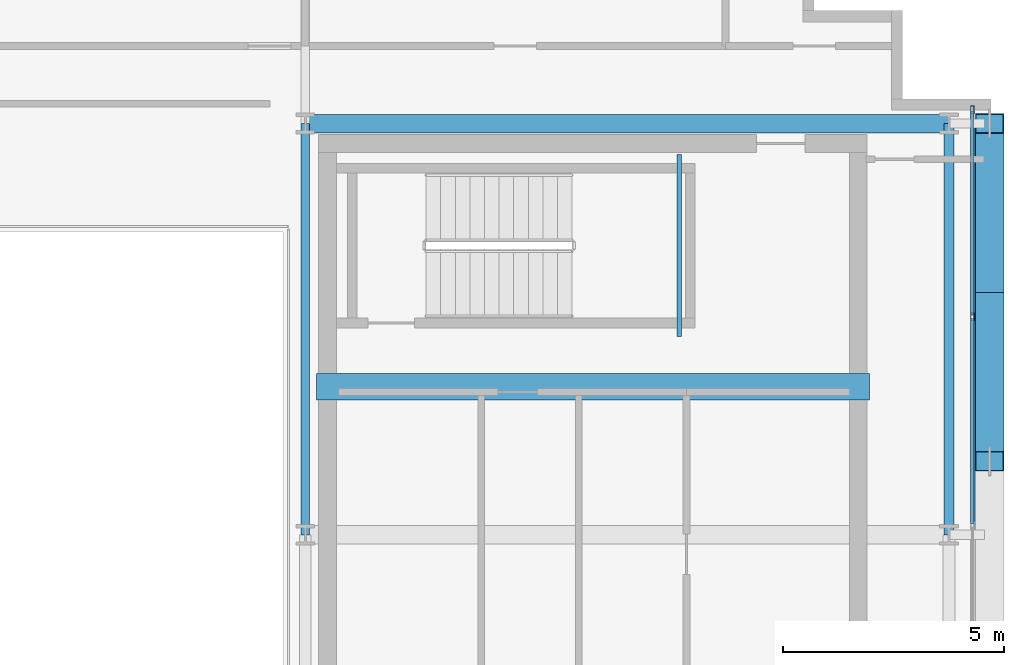
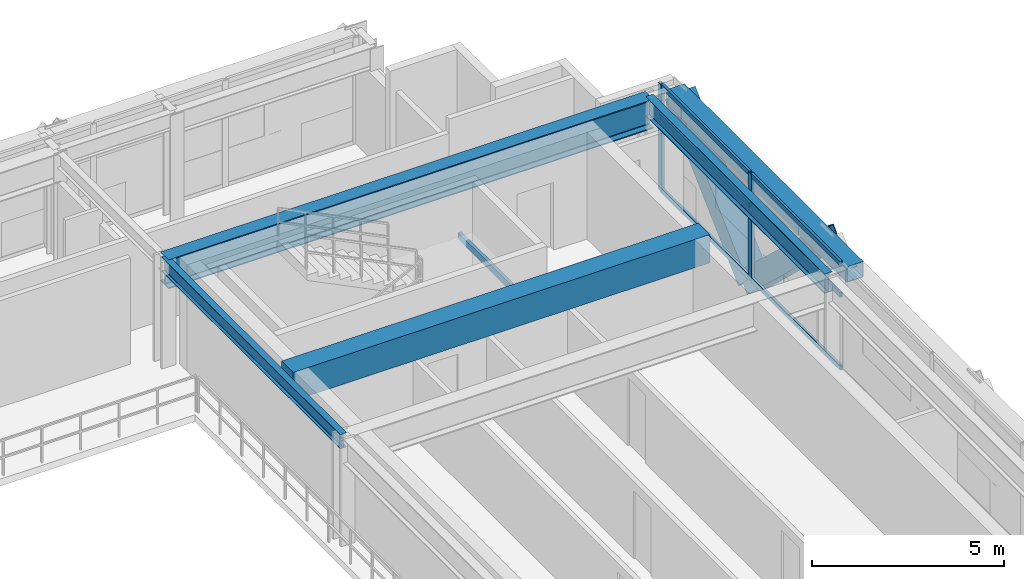
# One storey, part 12 of 27: 10 members, 6 beams, 1 element without a shape of its own.
"""IFC4 building model written with IfcOpenShell, lengths in metres."""

from ifc_helpers import new_model, si_unit, direction, frame, origin, origin_2d, place, context, subcontext, project, spatial, rectangle, hollow_rectangle, i_section, extrude, source, transform, mapped, material, layer, layer_set, material_profile, profile_set, type_object, element, aggregate, save


model = new_model("IFC4")

# Units and contexts
model_context = context("Model", 3, precision=1e-05, world=origin(), true_north=direction((0.0, 1.0)))
body_context = subcontext(model_context, "Body", "Model", "MODEL_VIEW")
ifc_project = project(units=[si_unit("LENGTHUNIT", "METRE"), si_unit("AREAUNIT", "SQUARE_METRE"), si_unit("VOLUMEUNIT", "CUBIC_METRE"), si_unit("PLANEANGLEUNIT", "RADIAN"), si_unit("MASSUNIT", "GRAM", prefix="KILO")], contexts=[model_context])

# Site, building, storey
site_placement = place(None, origin())
site = spatial("IfcSite", under=ifc_project, at=site_placement, CompositionType="ELEMENT")
building_placement = place(site_placement, origin())
building = spatial("IfcBuilding", under=site, at=building_placement, Name="Ocotamira Hotel", CompositionType="ELEMENT")
storey_placement = place(building_placement, frame((0.0, 0.0, 232.800048828125)))
storey = spatial("IfcBuildingStorey", under=building, at=storey_placement, Name="L58", CompositionType="ELEMENT", Elevation=232.800048828125)

# Beams
ifc_material_1 = material(Name="Concrete C50/60", Category="concrete")
ifc_material_profile_1 = material_profile(ifc_material_1, rectangle(XDim=0.60009765625, YDim=0.89990234375, at=origin_2d()), Name="RC600X900")
ifc_profile_set_1 = profile_set([ifc_material_profile_1], Name="Concrete C50/60")
beam_type_1 = type_object("IfcBeamType", Name="BM-LINK-RC600", PredefinedType="LINTEL", material=ifc_profile_set_1)
shared_shape_1 = source(origin(), body_context, "Body", "SweptSolid", [
    extrude(rectangle(XDim=0.60009765625, YDim=0.89990234375, at=origin_2d()), origin(), (0.0, 0.0, 1.0), 12.5),
])
beam_1_placement = place(storey_placement, frame((40.75, 31.5, 2.929931640625), z_axis=(1.0, 0.0, 0.0), x_axis=(0.0, 1.0, 0.0)))
element("IfcBeam", 1, at=beam_1_placement, inside=storey, type_object=beam_type_1, Name="L58 East Core Coupling Beam", PredefinedType="LINTEL", context=body_context, shape_type="MappedRepresentation", body=[
    mapped(shared_shape_1, transform((0.0, 0.0, 0.0), scale=1.0)),
])
ifc_material_2 = material(Name="Steel ASTM A500 Grade C", Category="steel")
ifc_material_profile_2 = material_profile(ifc_material_2, hollow_rectangle(XDim=0.10009765625, YDim=0.199951171875, WallThickness=0.008056640625, at=origin_2d()), Name="HSS200X100X8")
ifc_profile_set_2 = profile_set([ifc_material_profile_2], Name="Steel ASTM A500 Grade C")
beam_type_2 = type_object("IfcBeamType", Name="BM-STLDG-HSS200", PredefinedType="BEAM", material=ifc_profile_set_2)
shared_shape_2 = source(origin(), body_context, "Body", "SweptSolid", [
    extrude(hollow_rectangle(XDim=0.10009765625, YDim=0.199951171875, WallThickness=0.008056640625, at=origin_2d()), origin(), (0.0, 0.0, 1.0), 4.1201171875),
])
beam_2_placement = place(storey_placement, frame((48.949951171875, 32.6298828125, 1.5), z_axis=(0.0, 1.0, 0.0), x_axis=(-1.0, 0.0, 0.0)))
element("IfcBeam", 2, at=beam_2_placement, inside=storey, type_object=beam_type_2, Name="L58 Stair ST-4 Landing Bearer 1", PredefinedType="BEAM", context=body_context, shape_type="MappedRepresentation", body=[
    mapped(shared_shape_2, transform((0.0, 0.0, 0.0), scale=1.0)),
])
ifc_material_3 = material(Name="Steel ASTM A992 Grade 50", Category="steel")
ifc_material_profile_3 = material_profile(ifc_material_3, i_section(OverallWidth=0.41796875, OverallDepth=0.927001953125, WebThickness=0.019287109375, FlangeThickness=0.031982421875, FilletRadius=0.02392578125, at=origin_2d()), Name="W36X231")
ifc_profile_set_3 = profile_set([ifc_material_profile_3], Name="Steel ASTM A992 Grade 50")
beam_type_3 = type_object("IfcBeamType", Name="BM-GIRD-W36X231", PredefinedType="BEAM", material=ifc_profile_set_3)
shared_shape_3 = source(origin(), body_context, "Body", "SweptSolid", [
    extrude(i_section(OverallWidth=0.41796875, OverallDepth=0.927001953125, WebThickness=0.019287109375, FlangeThickness=0.031982421875, FilletRadius=0.02392578125, at=origin_2d()), origin(), (0.0, 0.0, 1.0), 14.550048828125),
])
beam_3_placement = place(storey_placement, frame((40.5, 37.449951171875, 2.91650390625), z_axis=(1.0, 0.0, 0.0), x_axis=(0.0, 1.0, 0.0)))
element("IfcBeam", 3, at=beam_3_placement, inside=storey, type_object=beam_type_3, Name="L58 Girder Y37.45 X40.5-55.05", PredefinedType="BEAM", context=body_context, shape_type="MappedRepresentation", body=[
    mapped(shared_shape_3, transform((0.0, 0.0, 0.0), scale=1.0)),
])
ifc_material_profile_4 = material_profile(ifc_material_3, i_section(OverallWidth=0.22998046875, OverallDepth=0.616943359375, WebThickness=0.01318359375, FlangeThickness=0.022216796875, FilletRadius=0.012939453125, at=origin_2d()), Name="W24X94")
ifc_profile_set_4 = profile_set([ifc_material_profile_4], Name="Steel ASTM A992 Grade 50")
beam_type_4 = type_object("IfcBeamType", Name="BM-PRIM-W24X94", PredefinedType="BEAM", material=ifc_profile_set_4)
shared_shape_4 = source(origin(), body_context, "Body", "SweptSolid", [
    extrude(i_section(OverallWidth=0.22998046875, OverallDepth=0.616943359375, WebThickness=0.01318359375, FlangeThickness=0.022216796875, FilletRadius=0.012939453125, at=origin_2d()), origin(), (0.0, 0.0, 1.0), 9.300048828125),
])
beam_4_placement = place(storey_placement, frame((55.050048828125, 28.14990234375, 3.071533203125), z_axis=(0.0, 1.0, 0.0), x_axis=(-1.0, 0.0, 0.0)))
element("IfcBeam", 4, at=beam_4_placement, inside=storey, type_object=beam_type_4, Name="L58 Beam X55.05 Y28.15-37.45", PredefinedType="BEAM", context=body_context, shape_type="MappedRepresentation", body=[
    mapped(shared_shape_4, transform((0.0, 0.0, 0.0), scale=1.0)),
])
ifc_material_profile_5 = material_profile(ifc_material_3, i_section(OverallWidth=0.18994140625, OverallDepth=0.45703125, WebThickness=0.009033203125, FlangeThickness=0.014404296875, FilletRadius=0.010009765625, at=origin_2d()), Name="W18X50")
ifc_profile_set_5 = profile_set([ifc_material_profile_5], Name="Steel ASTM A992 Grade 50")
beam_type_5 = type_object("IfcBeamType", Name="BM-SEC-W18X50", PredefinedType="JOIST", material=ifc_profile_set_5)
shared_shape_5 = source(origin(), body_context, "Body", "SweptSolid", [
    extrude(i_section(OverallWidth=0.18994140625, OverallDepth=0.45703125, WebThickness=0.009033203125, FlangeThickness=0.014404296875, FilletRadius=0.010009765625, at=origin_2d()), origin(), (0.0, 0.0, 1.0), 9.300048828125),
])
beam_5_placement = place(storey_placement, frame((40.5, 28.14990234375, 3.1513671875), z_axis=(0.0, 1.0, 0.0), x_axis=(-1.0, 0.0, 0.0)))
element("IfcBeam", 5, at=beam_5_placement, inside=storey, type_object=beam_type_5, Name="L58 Beam X40.5 Y28.15-37.45", PredefinedType="JOIST", context=body_context, shape_type="MappedRepresentation", body=[
    mapped(shared_shape_5, transform((0.0, 0.0, 0.0), scale=1.0)),
])
ifc_material_profile_6 = material_profile(ifc_material_2, hollow_rectangle(XDim=0.5, YDim=0.5, WallThickness=0.02001953125, at=origin_2d()), Name="HSS500X500X20")
ifc_profile_set_6 = profile_set([ifc_material_profile_6], Name="Steel ASTM A500 Grade C")
beam_type_6 = type_object("IfcBeamType", Name="BM-SPAN-HSS500", PredefinedType="USERDEFINED", material=ifc_profile_set_6)
shared_shape_6 = source(origin(), body_context, "Body", "SweptSolid", [
    extrude(hollow_rectangle(XDim=0.5, YDim=0.5, WallThickness=0.02001953125, at=origin_2d()), origin(), (0.0, 0.0, 1.0), 9.300048828125),
])
beam_6_placement = place(storey_placement, frame((55.85009765625, 28.14990234375, 3.1298828125), z_axis=(0.0, 1.0, 0.0), x_axis=(-1.0, 0.0, 0.0)))
element("IfcBeam", 6, at=beam_6_placement, inside=storey, type_object=beam_type_6, Name="L58 Edge Spandrel E Y28.15-37.45", ObjectType="SPANDREL", PredefinedType="USERDEFINED", context=body_context, shape_type="MappedRepresentation", body=[
    mapped(shared_shape_6, transform((0.0, 0.0, 0.0), scale=1.0)),
])

# Members
ifc_material_4 = material(Name="Pale-metal coated steel ASTM A913 Grade 65", Category="steel")
ifc_material_profile_7 = material_profile(ifc_material_4, hollow_rectangle(XDim=0.64990234375, YDim=0.64990234375, WallThickness=0.02197265625, at=origin_2d()), Name="BOX650X650X22")
ifc_profile_set_7 = profile_set([ifc_material_profile_7], Name="Pale-metal coated steel ASTM A913 Grade 65")
member_type_1 = type_object("IfcMemberType", Name="MEM-EXO-BOX650", PredefinedType="BRACE", material=ifc_profile_set_7)
shared_shape_7 = source(origin(), body_context, "Body", "SweptSolid", [
    extrude(hollow_rectangle(XDim=0.64990234375, YDim=0.64990234375, WallThickness=0.02197265625, at=origin_2d()), origin(), (0.0, 0.0, 1.0), 5.24658203125),
])
for number, where, z_axis, x_axis, name in (
    (7, (55.969970703125, 33.63330078125, -0.469970703125), (0.0, -0.72746596067, 0.686143772154), (1.0, 0.0, 0.0), "L58 Exoskeleton Diagrid E2.1"),
    (8, (55.969970703125, 33.63330078125, -0.469970703125), (0.0, 0.72746596067, 0.686143772154), (-1.0, 0.0, 0.0), "L58 Exoskeleton Diagrid E2.2"),
):
    element("IfcMember", number, at=place(storey_placement, frame(where, z_axis=z_axis, x_axis=x_axis)), inside=storey, type_object=member_type_1, Name=name, PredefinedType="BRACE", context=body_context, shape_type="MappedRepresentation", body=[
        mapped(shared_shape_7, transform((0.0, 0.0, 0.0), scale=1.0)),
    ])

# Curtain wall, members
ifc_material_5 = material(Name="Anodised pale-metal aluminium and solar glass", Category="aluminium")
ifc_layer = layer(ifc_material_5, 0.239990234375)
ifc_layer_set = layer_set([ifc_layer], Name="Anodised pale-metal aluminium and solar glass")
curtain_wall_type = type_object("IfcCurtainWallType", Name="CW-SYS5-SKY", PredefinedType="NOTDEFINED", material=ifc_layer_set)
curtain_wall_placement = place(storey_placement, origin())
curtain_wall = element("IfcCurtainWall", 9, at=curtain_wall_placement, inside=storey, type_object=curtain_wall_type, Name="L58 Curtain Wall CW-5 CW-L58-E", PredefinedType="NOTDEFINED")
ifc_material_6 = material(Name="Anodised pale-metal aluminium 6063-T6", Category="aluminium")
ifc_material_profile_8 = material_profile(ifc_material_6, hollow_rectangle(XDim=0.080078125, YDim=0.179931640625, WallThickness=0.006103515625, at=origin_2d()), Name="HSS180X80X6")
ifc_profile_set_8 = profile_set([ifc_material_profile_8], Name="Anodised pale-metal aluminium 6063-T6")
member_type_2 = type_object("IfcMemberType", Name="CWM-180X75", PredefinedType="MULLION", material=ifc_profile_set_8)
shared_shape_8 = source(origin(), body_context, "Body", "SweptSolid", [
    extrude(hollow_rectangle(XDim=0.080078125, YDim=0.179931640625, WallThickness=0.006103515625, at=origin_2d()), origin(), (0.0, 0.0, 1.0), 3.3798828125),
])
member_1_placement = place(storey_placement, frame((55.580078125, 33.080078125, 0.0), z_axis=(0.0, 0.0, 1.0), x_axis=(-1.0, 0.0, 0.0)))
member_1 = element("IfcMember", 10, at=member_1_placement, type_object=member_type_2, Name="CW-5 mullion 5", PredefinedType="MULLION", context=body_context, shape_type="MappedRepresentation", body=[
    mapped(shared_shape_8, transform((0.0, 0.0, 0.0), scale=1.0)),
])
member_2_placement = place(storey_placement, frame((55.580078125, 37.760009765625, 0.0), z_axis=(0.0, 0.0, 1.0), x_axis=(-1.0, 0.0, 0.0)))
member_2 = element("IfcMember", 11, at=member_2_placement, type_object=member_type_2, Name="CW-5 mullion 6", PredefinedType="MULLION", context=body_context, shape_type="MappedRepresentation", body=[
    mapped(shared_shape_8, transform((0.0, 0.0, 0.0), scale=1.0)),
])
ifc_material_profile_9 = material_profile(ifc_material_6, hollow_rectangle(XDim=0.074951171875, YDim=0.14990234375, WallThickness=0.006103515625, at=origin_2d()), Name="HSS150X75X6")
ifc_profile_set_9 = profile_set([ifc_material_profile_9], Name="Anodised pale-metal aluminium 6063-T6")
member_type_3 = type_object("IfcMemberType", Name="CWT-150X75", PredefinedType="USERDEFINED", material=ifc_profile_set_9)
shared_shape_9 = source(origin(), body_context, "Body", "SweptSolid", [
    extrude(hollow_rectangle(XDim=0.074951171875, YDim=0.14990234375, WallThickness=0.006103515625, at=origin_2d()), origin(), (0.0, 0.0, 1.0), 4.599853515625),
])
member_3_placement = place(storey_placement, frame((55.580078125, 33.1201171875, 0.037353515625), z_axis=(0.0, 1.0, 0.0), x_axis=(-1.0, 0.0, 0.0)))
member_3 = element("IfcMember", 12, at=member_3_placement, type_object=member_type_3, Name="CW-5 transom 5.1", ObjectType="TRANSOM", PredefinedType="USERDEFINED", context=body_context, shape_type="MappedRepresentation", body=[
    mapped(shared_shape_9, transform((0.0, 0.0, 0.0), scale=1.0)),
])
member_4_placement = place(storey_placement, frame((55.580078125, 33.1201171875, 2.349853515625), z_axis=(0.0, 1.0, 0.0), x_axis=(-1.0, 0.0, 0.0)))
member_4 = element("IfcMember", 13, at=member_4_placement, type_object=member_type_3, Name="CW-5 transom 5.2", ObjectType="TRANSOM", PredefinedType="USERDEFINED", context=body_context, shape_type="MappedRepresentation", body=[
    mapped(shared_shape_9, transform((0.0, 0.0, 0.0), scale=1.0)),
])
member_5_placement = place(storey_placement, frame((55.580078125, 33.1201171875, 3.342529296875), z_axis=(0.0, 1.0, 0.0), x_axis=(-1.0, 0.0, 0.0)))
member_5 = element("IfcMember", 14, at=member_5_placement, type_object=member_type_3, Name="CW-5 transom 5.3", ObjectType="TRANSOM", PredefinedType="USERDEFINED", context=body_context, shape_type="MappedRepresentation", body=[
    mapped(shared_shape_9, transform((0.0, 0.0, 0.0), scale=1.0)),
])
shared_shape_10 = source(origin(), body_context, "Body", "SweptSolid", [
    extrude(hollow_rectangle(XDim=0.074951171875, YDim=0.14990234375, WallThickness=0.006103515625, at=origin_2d()), origin(), (0.0, 0.0, 1.0), 4.64013671875),
])
member_6_placement = place(storey_placement, frame((55.580078125, 28.39990234375, 0.037353515625), z_axis=(0.0, 1.0, 0.0), x_axis=(-1.0, 0.0, 0.0)))
member_6 = element("IfcMember", 15, at=member_6_placement, type_object=member_type_3, Name="CW-5 transom 4.1", ObjectType="TRANSOM", PredefinedType="USERDEFINED", context=body_context, shape_type="MappedRepresentation", body=[
    mapped(shared_shape_10, transform((0.0, 0.0, 0.0), scale=1.0)),
])
member_7_placement = place(storey_placement, frame((55.580078125, 28.39990234375, 2.349853515625), z_axis=(0.0, 1.0, 0.0), x_axis=(-1.0, 0.0, 0.0)))
member_7 = element("IfcMember", 16, at=member_7_placement, type_object=member_type_3, Name="CW-5 transom 4.2", ObjectType="TRANSOM", PredefinedType="USERDEFINED", context=body_context, shape_type="MappedRepresentation", body=[
    mapped(shared_shape_10, transform((0.0, 0.0, 0.0), scale=1.0)),
])
member_8_placement = place(storey_placement, frame((55.580078125, 28.39990234375, 3.342529296875), z_axis=(0.0, 1.0, 0.0), x_axis=(-1.0, 0.0, 0.0)))
member_8 = element("IfcMember", 17, at=member_8_placement, type_object=member_type_3, Name="CW-5 transom 4.3", ObjectType="TRANSOM", PredefinedType="USERDEFINED", context=body_context, shape_type="MappedRepresentation", body=[
    mapped(shared_shape_10, transform((0.0, 0.0, 0.0), scale=1.0)),
])
aggregate(curtain_wall, [member_1, member_2, member_6, member_7, member_8, member_3, member_4, member_5])

save(model, "model.ifc")
